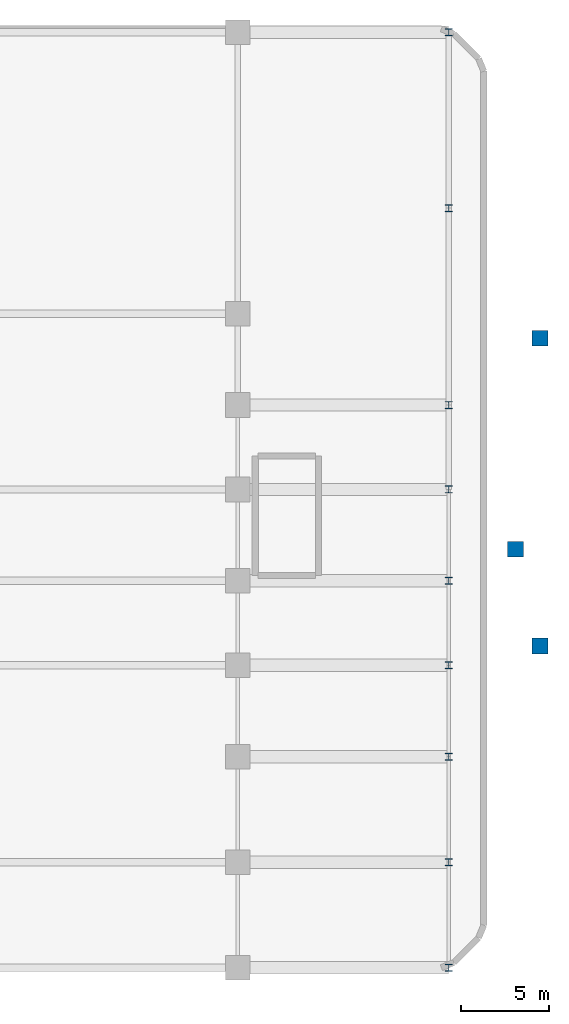
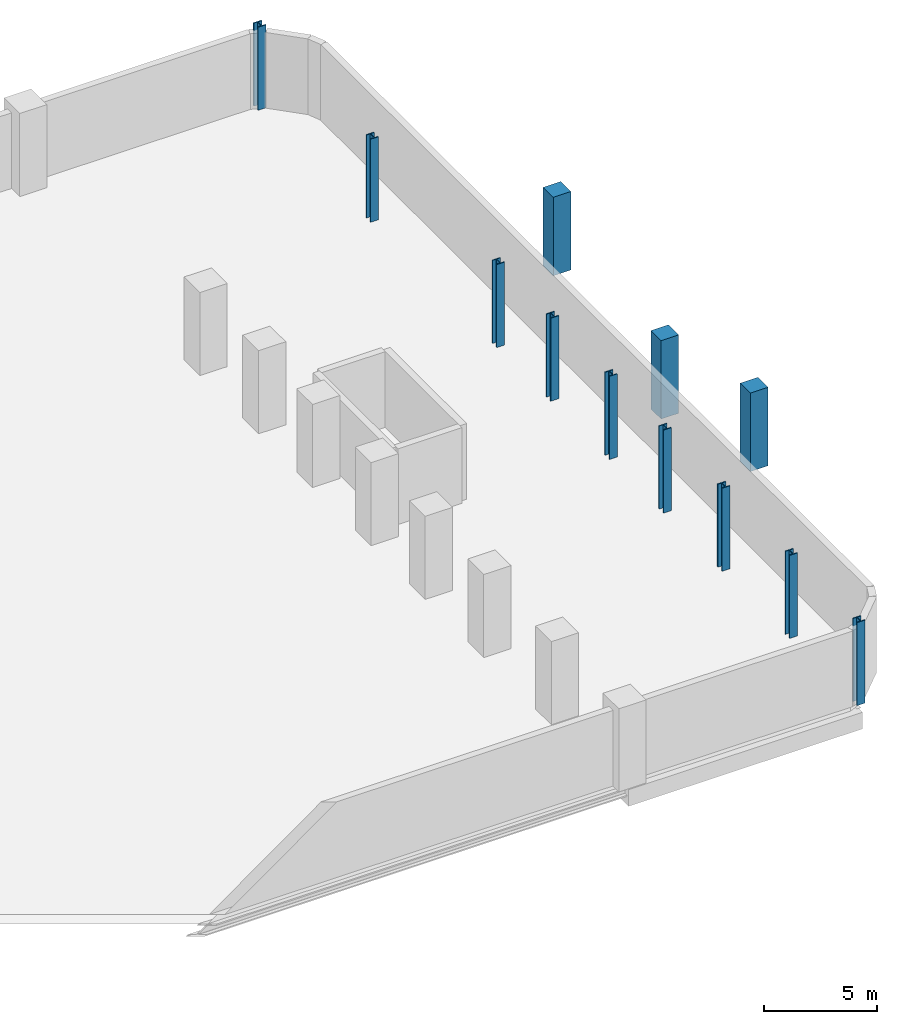
# One storey, part 2 of 7: 12 columns.
"""IFC4 building model written with IfcOpenShell, lengths in metres."""

from ifc_helpers import new_model, si_unit, direction, frame, origin, origin_2d, place, context, subcontext, project, spatial, rectangle, i_section, extrude, material, material_profile, profile_set, type_object, element, save


model = new_model("IFC4")

# Units and contexts
model_context = context("Model", 3, precision=1e-05, world=origin(), true_north=direction((0.0, 1.0)))
body_context = subcontext(model_context, "Body", "Model", "MODEL_VIEW")
ifc_project = project(units=[si_unit("LENGTHUNIT", "METRE"), si_unit("AREAUNIT", "SQUARE_METRE"), si_unit("VOLUMEUNIT", "CUBIC_METRE"), si_unit("PLANEANGLEUNIT", "RADIAN"), si_unit("MASSUNIT", "GRAM", prefix="KILO")], contexts=[model_context])

# Site, building, storey
site_placement = place(None, origin())
site = spatial("IfcSite", under=ifc_project, at=site_placement, CompositionType="ELEMENT")
building_placement = place(site_placement, origin())
building = spatial("IfcBuilding", under=site, at=building_placement, Name="Keshet Zoharim Tower", CompositionType="ELEMENT")
storey_placement = place(building_placement, frame((0.0, 0.0, -4.5)))
storey = spatial("IfcBuildingStorey", under=building, at=storey_placement, Name="B1", CompositionType="ELEMENT", Elevation=-4.5)

# Columns
ifc_material_1 = material(Name="Steel S355", Category="steel")
ifc_material_profile_1 = material_profile(ifc_material_1, i_section(OverallWidth=0.408935546875, OverallDepth=0.425048828125, WebThickness=0.031982421875, FlangeThickness=0.052490234375, FilletRadius=0.014892578125, at=origin_2d()), Name="HD400x421")
ifc_profile_set_1 = profile_set([ifc_material_profile_1], Name="Steel S355")
column_type_1 = type_object("IfcColumnType", Name="COL-POD-HD421", PredefinedType="COLUMN", material=ifc_profile_set_1)
for number, where, z_axis, x_axis, name in (
    (1, (75.0, 0.699951171875, 0.0), (0.0, 0.0, 1.0), (1.0, 0.0, 0.0), "B1 Column 13A"),
    (2, (75.0, 6.699951171875, 0.0), (0.0, 0.0, 1.0), (1.0, 0.0, 0.0), "B1 Column 13B"),
    (3, (75.0, 12.699951171875, 0.0), (0.0, 0.0, 1.0), (1.0, 0.0, 0.0), "B1 Column 13C"),
    (4, (75.0, 17.89990234375, 0.0), (0.0, 0.0, 1.0), (1.0, 0.0, 0.0), "B1 Column 13D"),
    (5, (75.0, 22.699951171875, 0.0), (0.0, 0.0, 1.0), (1.0, 0.0, 0.0), "B1 Column 13E"),
    (6, (75.0, 27.89990234375, 0.0), (0.0, 0.0, 1.0), (1.0, 0.0, 0.0), "B1 Column 13F"),
    (7, (75.0, 32.699951171875, 0.0), (0.0, 0.0, 1.0), (1.0, 0.0, 0.0), "B1 Column 13G"),
    (8, (75.0, 43.89990234375, 0.0), (0.0, 0.0, 1.0), (1.0, 0.0, 0.0), "B1 Column 13J"),
    (9, (75.0, 53.89990234375, 0.0), (0.0, 0.0, 1.0), (1.0, 0.0, 0.0), "B1 Column 13L"),
):
    element("IfcColumn", number, at=place(storey_placement, frame(where, z_axis=z_axis, x_axis=x_axis)), inside=storey, type_object=column_type_1, Name=name, PredefinedType="COLUMN", context=body_context, shape_type="SweptSolid", body=[
        extrude(i_section(OverallWidth=0.408935546875, OverallDepth=0.425048828125, WebThickness=0.031982421875, FlangeThickness=0.052490234375, FilletRadius=0.014892578125, at=origin_2d()), origin(), (0.0, 0.0, 1.0), 4.5),
    ])
ifc_material_2 = material(Name="Concrete C60/75", Category="concrete")
ifc_material_profile_2 = material_profile(ifc_material_2, rectangle(XDim=0.89990234375, YDim=0.89990234375, at=origin_2d()), Name="RC900x900")
ifc_profile_set_2 = profile_set([ifc_material_profile_2], Name="Concrete C60/75")
column_type_2 = type_object("IfcColumnType", Name="COL-RC900", PredefinedType="COLUMN", material=ifc_profile_set_2)
for number, where, z_axis, x_axis, name in (
    (10, (80.199951171875, 19.0, 0.0), (0.0, 0.0, 1.0), (1.0, 0.0, 0.0), "B1 Forecourt Support Column FE1"),
    (11, (78.800048828125, 24.5, 0.0), (0.0, 0.0, 1.0), (1.0, 0.0, 0.0), "B1 Forecourt Support Column FE2"),
    (12, (80.199951171875, 36.5, 0.0), (0.0, 0.0, 1.0), (1.0, 0.0, 0.0), "B1 Forecourt Support Column FE3"),
):
    element("IfcColumn", number, at=place(storey_placement, frame(where, z_axis=z_axis, x_axis=x_axis)), inside=storey, type_object=column_type_2, Name=name, PredefinedType="COLUMN", context=body_context, shape_type="SweptSolid", body=[
        extrude(rectangle(XDim=0.89990234375, YDim=0.89990234375, at=origin_2d()), origin(), (0.0, 0.0, 1.0), 4.25),
    ])

save(model, "model.ifc")
